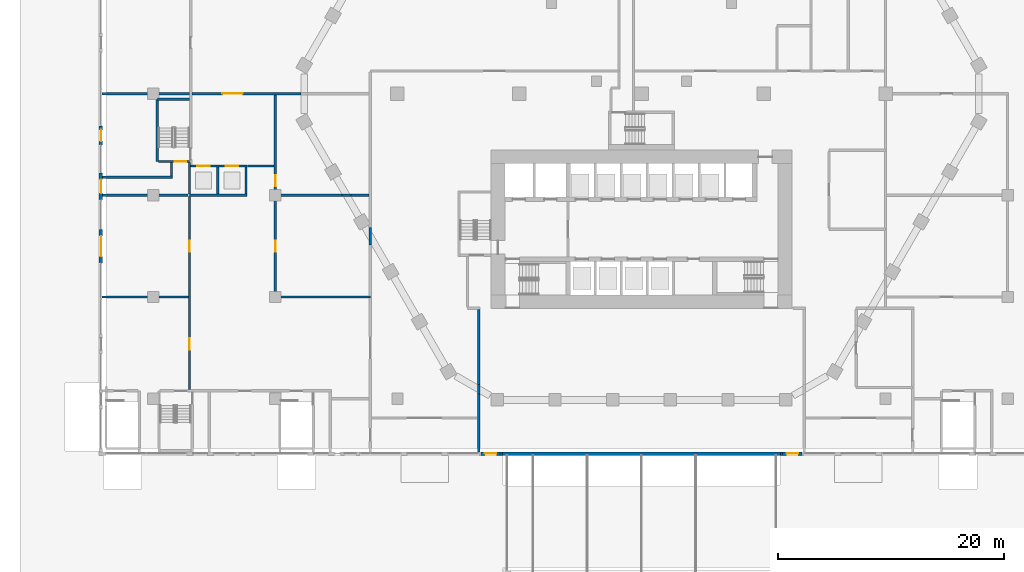
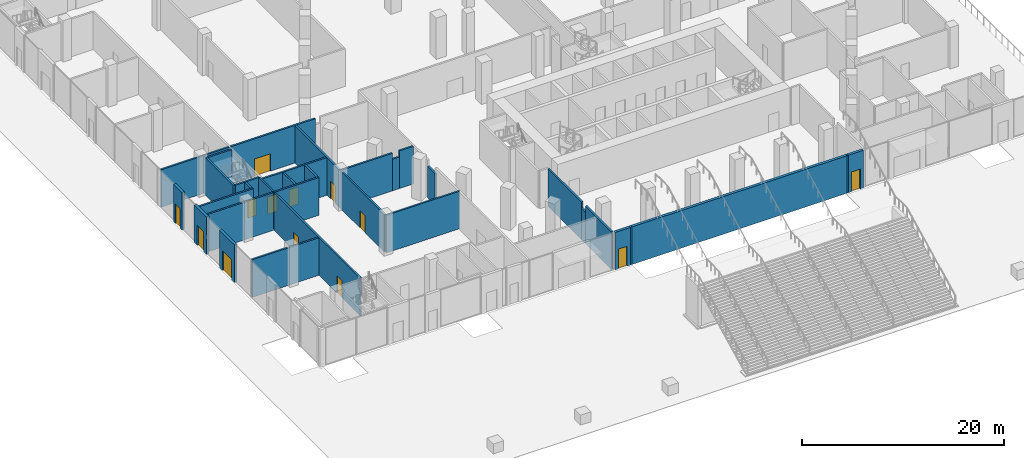
# One storey, part 21 of 57: 33 walls, 13 doors, 13 openings.
"""IFC4 building model written with IfcOpenShell, lengths in metres."""

from ifc_helpers import new_model, si_unit, direction, frame, frame_2d, origin, place, context, subcontext, project, spatial, rectangle, extrude, material, layer, layer_set, type_object, element, fill, save


model = new_model("IFC4")

# Units and contexts
model_context = context("Model", 3, precision=1e-05, world=origin(), true_north=direction((0.0, 1.0)))
body_context = subcontext(model_context, "Body", "Model", "MODEL_VIEW")
ifc_project = project(units=[si_unit("LENGTHUNIT", "METRE"), si_unit("AREAUNIT", "SQUARE_METRE"), si_unit("VOLUMEUNIT", "CUBIC_METRE"), si_unit("PLANEANGLEUNIT", "RADIAN"), si_unit("MASSUNIT", "GRAM", prefix="KILO")], contexts=[model_context])

# Site, building, storey
site_placement = place(None, origin())
site = spatial("IfcSite", under=ifc_project, at=site_placement, CompositionType="ELEMENT")
building_placement = place(site_placement, origin())
building = spatial("IfcBuilding", under=site, at=building_placement, Name="Beryl Residences", CompositionType="ELEMENT")
storey_placement = place(building_placement, origin())
storey = spatial("IfcBuildingStorey", under=building, at=storey_placement, Name="L00", CompositionType="ELEMENT", Elevation=0.0)

# Wall, opening, door
ifc_material_1 = material(Name="Composite metal panel with mineral wool insulation")
ifc_layer_1 = layer(ifc_material_1, 0.300048828125)
ifc_layer_set_1 = layer_set([ifc_layer_1], Name="ES1 pale metal composite panel wall 300 mm")
wall_type_1 = type_object("IfcWallType", Name="ES1 pale metal composite panel wall 300 mm", PredefinedType="SOLIDWALL", material=ifc_layer_set_1)
wall_1_placement = place(storey_placement, frame((-14.199951171875, -31.85009765625, 0.0), z_axis=(0.0, 0.0, 1.0), x_axis=(1.0, 0.0, 0.0)))
wall_1 = element("IfcWall", 1, at=wall_1_placement, inside=storey, type_object=wall_type_1, Name="ES1 entrance wall L00 S", PredefinedType="SOLIDWALL", context=body_context, shape_type="SweptSolid", body=[
    extrude(rectangle(XDim=1.699951171875, YDim=0.300048828125, at=frame_2d((0.85009765625, 0.0))), origin(), (0.0, 0.0, 1.0), 4.550048828125),
])
opening_1_placement = place(wall_1_placement, frame((1.35009765625, 0.0, 0.0), z_axis=(0.0, 0.0, 1.0), x_axis=(-1.0, 0.0, 0.0)))
opening_1 = element("IfcOpeningElement", 2, at=opening_1_placement, cuts=wall_1, Name="Opening XD2", PredefinedType="OPENING", context=body_context, shape_type="SweptSolid", body=[
    extrude(rectangle(XDim=1.0, YDim=2.39990234375, at=frame_2d((0.5, 1.199951171875))), frame((0.0, 0.159912109375, 0.0), z_axis=(0.0, -1.0, 0.0), x_axis=(1.0, 0.0, 0.0)), (0.0, 0.0, 1.0), 0.320068359375),
])
ifc_material_2 = material(Name="Galvanised steel", Category="steel")
door_type_1 = type_object("IfcDoorType", Name="XD2 exit door 1000 x 2400 mm", OperationType="SINGLE_SWING_RIGHT", PredefinedType="DOOR", material=ifc_material_2)
door_1_placement = place(opening_1_placement, origin())
door_1 = element("IfcDoor", 3, at=door_1_placement, inside=storey, type_object=door_type_1, Name="XD2 exit door L00 S", OperationType="SINGLE_SWING_RIGHT", OverallHeight=2.39990234375, OverallWidth=1.0, PredefinedType="DOOR", context=body_context, shape_type="SweptSolid", body=[
    extrude(rectangle(XDim=1.0, YDim=2.39990234375, at=frame_2d((0.5, 1.199951171875))), frame((0.0, 0.02490234375, 0.0), z_axis=(0.0, -1.0, 0.0), x_axis=(1.0, 0.0, 0.0)), (0.0, 0.0, 1.0), 0.050048828125),
])
fill(opening_1, door_1)

# Walls
wall_2_placement = place(storey_placement, frame((-12.5, -31.85009765625, 0.0), z_axis=(0.0, 0.0, 1.0), x_axis=(1.0, 0.0, 0.0)))
element("IfcWall", 4, at=wall_2_placement, inside=storey, type_object=wall_type_1, Name="ES1 external wall L00 S 16", PredefinedType="SOLIDWALL", context=body_context, shape_type="SweptSolid", body=[
    extrude(rectangle(XDim=0.199951171875, YDim=0.300048828125, at=frame_2d((0.10009765625, 0.0))), origin(), (0.0, 0.0, 1.0), 4.550048828125),
])
wall_3_placement = place(storey_placement, frame((-12.300048828125, -31.85009765625, 0.0), z_axis=(0.0, 0.0, 1.0), x_axis=(1.0, 0.0, 0.0)))
element("IfcWall", 5, at=wall_3_placement, inside=storey, type_object=wall_type_1, Name="ES1 external wall L00 S 17", PredefinedType="SOLIDWALL", context=body_context, shape_type="SweptSolid", body=[
    extrude(rectangle(XDim=24.60009765625, YDim=0.300048828125, at=frame_2d((12.300048828125, 0.0))), origin(), (0.0, 0.0, 1.0), 4.550048828125),
])
wall_4_placement = place(storey_placement, frame((12.300048828125, -31.85009765625, 0.0), z_axis=(0.0, 0.0, 1.0), x_axis=(1.0, 0.0, 0.0)))
element("IfcWall", 6, at=wall_4_placement, inside=storey, type_object=wall_type_1, Name="ES1 external wall L00 S 18", PredefinedType="SOLIDWALL", context=body_context, shape_type="SweptSolid", body=[
    extrude(rectangle(XDim=0.199951171875, YDim=0.300048828125, at=frame_2d((0.10009765625, 0.0))), origin(), (0.0, 0.0, 1.0), 4.550048828125),
])

# Wall, opening, door
wall_5_placement = place(storey_placement, frame((12.5, -31.85009765625, 0.0), z_axis=(0.0, 0.0, 1.0), x_axis=(1.0, 0.0, 0.0)))
wall_5 = element("IfcWall", 7, at=wall_5_placement, inside=storey, type_object=wall_type_1, Name="ES1 entrance wall L00 S", PredefinedType="SOLIDWALL", context=body_context, shape_type="SweptSolid", body=[
    extrude(rectangle(XDim=1.699951171875, YDim=0.300048828125, at=frame_2d((0.85009765625, 0.0))), origin(), (0.0, 0.0, 1.0), 4.550048828125),
])
opening_2_placement = place(wall_5_placement, frame((1.35009765625, 0.0, 0.0), z_axis=(0.0, 0.0, 1.0), x_axis=(-1.0, 0.0, 0.0)))
opening_2 = element("IfcOpeningElement", 8, at=opening_2_placement, cuts=wall_5, Name="Opening XD2", PredefinedType="OPENING", context=body_context, shape_type="SweptSolid", body=[
    extrude(rectangle(XDim=1.0, YDim=2.39990234375, at=frame_2d((0.5, 1.199951171875))), frame((0.0, 0.159912109375, 0.0), z_axis=(0.0, -1.0, 0.0), x_axis=(1.0, 0.0, 0.0)), (0.0, 0.0, 1.0), 0.320068359375),
])
door_2_placement = place(opening_2_placement, origin())
door_2 = element("IfcDoor", 9, at=door_2_placement, inside=storey, type_object=door_type_1, Name="XD2 exit door L00 S", OperationType="SINGLE_SWING_RIGHT", OverallHeight=2.39990234375, OverallWidth=1.0, PredefinedType="DOOR", context=body_context, shape_type="SweptSolid", body=[
    extrude(rectangle(XDim=1.0, YDim=2.39990234375, at=frame_2d((0.5, 1.199951171875))), frame((0.0, 0.02490234375, 0.0), z_axis=(0.0, -1.0, 0.0), x_axis=(1.0, 0.0, 0.0)), (0.0, 0.0, 1.0), 0.050048828125),
])
fill(opening_2, door_2)

wall_6_placement = place(storey_placement, frame((-47.85009765625, -7.0, 0.0), z_axis=(0.0, 0.0, 1.0), x_axis=(0.0, -1.0, 0.0)))
wall_6 = element("IfcWall", 10, at=wall_6_placement, inside=storey, type_object=wall_type_1, Name="ES1 entrance wall L00 W", PredefinedType="SOLIDWALL", context=body_context, shape_type="SweptSolid", body=[
    extrude(rectangle(XDim=2.39990234375, YDim=0.300048828125, at=frame_2d((1.199951171875, 0.0))), origin(), (0.0, 0.0, 1.0), 4.550048828125),
])
opening_3_placement = place(wall_6_placement, frame((1.800048828125, 0.0, 0.0), z_axis=(0.0, 0.0, 1.0), x_axis=(-1.0, 0.0, 0.0)))
opening_3 = element("IfcOpeningElement", 11, at=opening_3_placement, cuts=wall_6, Name="Opening XD1", PredefinedType="OPENING", context=body_context, shape_type="SweptSolid", body=[
    extrude(rectangle(XDim=1.199951171875, YDim=2.39990234375, at=frame_2d((0.60009765625, 1.199951171875))), frame((0.0, 0.159912109375, 0.0), z_axis=(0.0, -1.0, 0.0), x_axis=(1.0, 0.0, 0.0)), (0.0, 0.0, 1.0), 0.320068359375),
])
ifc_material_3 = material(Name="Galvanised steel", Category="steel")
door_type_2 = type_object("IfcDoorType", Name="XD1 exit door 1200 x 2400 mm", OperationType="SINGLE_SWING_RIGHT", PredefinedType="DOOR", material=ifc_material_3)
door_3_placement = place(opening_3_placement, origin())
door_3 = element("IfcDoor", 12, at=door_3_placement, inside=storey, type_object=door_type_2, Name="XD1 exit door L00 W", OperationType="SINGLE_SWING_RIGHT", OverallHeight=2.39990234375, OverallWidth=1.199951171875, PredefinedType="DOOR", context=body_context, shape_type="SweptSolid", body=[
    extrude(rectangle(XDim=1.199951171875, YDim=2.39990234375, at=frame_2d((0.60009765625, 1.199951171875))), frame((0.0, 0.02490234375, 0.0), z_axis=(0.0, -1.0, 0.0), x_axis=(1.0, 0.0, 0.0)), (0.0, 0.0, 1.0), 0.050048828125),
])
fill(opening_3, door_3)

ifc_material_4 = material(Name="Aluminium framed insulated wall", Category="aluminium")
ifc_layer_2 = layer(ifc_material_4, 0.14990234375)
ifc_layer_set_2 = layer_set([ifc_layer_2], Name="GW1 glazed door wall 150 mm")
wall_type_2 = type_object("IfcWallType", Name="GW1 glazed door wall 150 mm", PredefinedType="SOLIDWALL", material=ifc_layer_set_2)
wall_7_placement = place(storey_placement, frame((-47.85009765625, -2.85009765625, 0.0), z_axis=(0.0, 0.0, 1.0), x_axis=(0.0, -1.0, 0.0)))
wall_7 = element("IfcWall", 13, at=wall_7_placement, inside=storey, type_object=wall_type_2, Name="GW1 shopfront door wall L00 W", PredefinedType="SOLIDWALL", context=body_context, shape_type="SweptSolid", body=[
    extrude(rectangle(XDim=1.699951171875, YDim=0.300048828125, at=frame_2d((0.85009765625, 0.0))), origin(), (0.0, 0.0, 1.0), 4.550048828125),
])
opening_4_placement = place(wall_7_placement, frame((1.35009765625, 0.0, 0.0), z_axis=(0.0, 0.0, 1.0), x_axis=(-1.0, 0.0, 0.0)))
opening_4 = element("IfcOpeningElement", 14, at=opening_4_placement, cuts=wall_7, Name="Opening ED4", PredefinedType="OPENING", context=body_context, shape_type="SweptSolid", body=[
    extrude(rectangle(XDim=1.0, YDim=2.39990234375, at=frame_2d((0.5, 1.199951171875))), frame((0.0, 0.159912109375, 0.0), z_axis=(0.0, -1.0, 0.0), x_axis=(1.0, 0.0, 0.0)), (0.0, 0.0, 1.0), 0.320068359375),
])
ifc_material_5 = material(Name="Aluminium and clear glass", Category="aluminium")
door_type_3 = type_object("IfcDoorType", Name="ED4 street door 1000 x 2400 mm", OperationType="SINGLE_SWING_RIGHT", PredefinedType="DOOR", material=ifc_material_5)
door_4_placement = place(opening_4_placement, origin())
door_4 = element("IfcDoor", 15, at=door_4_placement, inside=storey, type_object=door_type_3, Name="ED4 street door L00 W", OperationType="SINGLE_SWING_RIGHT", OverallHeight=2.39990234375, OverallWidth=1.0, PredefinedType="DOOR", context=body_context, shape_type="SweptSolid", body=[
    extrude(rectangle(XDim=1.0, YDim=2.39990234375, at=frame_2d((0.5, 1.199951171875))), frame((0.0, 0.02490234375, 0.0), z_axis=(0.0, -1.0, 0.0), x_axis=(1.0, 0.0, 0.0)), (0.0, 0.0, 1.0), 0.050048828125),
])
fill(opening_4, door_4)

wall_8_placement = place(storey_placement, frame((-47.85009765625, -12.0, 0.0), z_axis=(0.0, 0.0, 1.0), x_axis=(0.0, -1.0, 0.0)))
wall_8 = element("IfcWall", 16, at=wall_8_placement, inside=storey, type_object=wall_type_2, Name="GW1 shopfront door wall L00 W", PredefinedType="SOLIDWALL", context=body_context, shape_type="SweptSolid", body=[
    extrude(rectangle(XDim=3.0, YDim=0.300048828125, at=frame_2d((1.5, 0.0))), origin(), (0.0, 0.0, 1.0), 4.550048828125),
])
opening_5_placement = place(wall_8_placement, frame((2.400146484375, 0.0, 0.0), z_axis=(0.0, 0.0, 1.0), x_axis=(-1.0, 0.0, 0.0)))
opening_5 = element("IfcOpeningElement", 17, at=opening_5_placement, cuts=wall_8, Name="Opening ED3", PredefinedType="OPENING", context=body_context, shape_type="SweptSolid", body=[
    extrude(rectangle(XDim=1.800048828125, YDim=2.39990234375, at=frame_2d((0.89990234375, 1.199951171875))), frame((0.0, 0.159912109375, 0.0), z_axis=(0.0, -1.0, 0.0), x_axis=(1.0, 0.0, 0.0)), (0.0, 0.0, 1.0), 0.320068359375),
])
ifc_material_6 = material(Name="Aluminium and clear glass", Category="aluminium")
door_type_4 = type_object("IfcDoorType", Name="ED3 shopfront door 1800 x 2400 mm", OperationType="DOUBLE_DOOR_DOUBLE_SWING", PredefinedType="DOOR", material=ifc_material_6)
door_5_placement = place(opening_5_placement, origin())
door_5 = element("IfcDoor", 18, at=door_5_placement, inside=storey, type_object=door_type_4, Name="ED3 shop door L00 W", OperationType="DOUBLE_DOOR_DOUBLE_SWING", OverallHeight=2.39990234375, OverallWidth=1.800048828125, PredefinedType="DOOR", context=body_context, shape_type="SweptSolid", body=[
    extrude(rectangle(XDim=1.800048828125, YDim=2.39990234375, at=frame_2d((0.89990234375, 1.199951171875))), frame((0.0, 0.02490234375, 0.0), z_axis=(0.0, -1.0, 0.0), x_axis=(1.0, 0.0, 0.0)), (0.0, 0.0, 1.0), 0.050048828125),
])
fill(opening_5, door_5)

# Walls
ifc_material_7 = material(Name="Double stud gypsum board wall")
ifc_layer_3 = layer(ifc_material_7, 0.199951171875)
ifc_layer_set_3 = layer_set([ifc_layer_3], Name="PT10 tenancy wall 200 mm")
wall_type_3 = type_object("IfcWallType", Name="PT10 tenancy wall 200 mm", PredefinedType="PARTITIONING", material=ifc_layer_set_3)
wall_9_placement = place(storey_placement, frame((-47.75, -18.0, 0.0), z_axis=(0.0, 0.0, 1.0), x_axis=(1.0, 0.0, 0.0)))
element("IfcWall", 19, at=wall_9_placement, inside=storey, type_object=wall_type_3, Name="Wall PT10 L00 001", PredefinedType="PARTITIONING", context=body_context, shape_type="SweptSolid", body=[
    extrude(rectangle(XDim=7.64990234375, YDim=0.199951171875, at=frame_2d((3.824951171875, 0.0))), origin(), (0.0, 0.0, 1.0), 4.550048828125),
])
wall_10_placement = place(storey_placement, frame((-32.39990234375, -18.0, 0.0), z_axis=(0.0, 0.0, 1.0), x_axis=(1.0, 0.0, 0.0)))
element("IfcWall", 20, at=wall_10_placement, inside=storey, type_object=wall_type_3, Name="Wall PT10 L00 002", PredefinedType="PARTITIONING", context=body_context, shape_type="SweptSolid", body=[
    extrude(rectangle(XDim=8.39990234375, YDim=0.199951171875, at=frame_2d((4.199951171875, 0.0))), origin(), (0.0, 0.0, 1.0), 4.550048828125),
])
wall_11_placement = place(storey_placement, frame((-32.300048828125, -9.0, 0.0), z_axis=(0.0, 0.0, 1.0), x_axis=(1.0, 0.0, 0.0)))
element("IfcWall", 21, at=wall_11_placement, inside=storey, type_object=wall_type_3, Name="Wall PT10 L00 004", PredefinedType="PARTITIONING", context=body_context, shape_type="SweptSolid", body=[
    extrude(rectangle(XDim=5.799072265625, YDim=0.199951171875, at=frame_2d((2.8994140625, 0.0))), origin(), (0.0, 0.0, 1.0), 4.550048828125),
])
wall_12_placement = place(storey_placement, frame((-26.5009765625, -9.0, 0.0), z_axis=(0.0, 0.0, 1.0), x_axis=(1.0, 0.0, 0.0)))
element("IfcWall", 22, at=wall_12_placement, inside=storey, type_object=wall_type_3, Name="Wall PT10 L00 005", PredefinedType="PARTITIONING", context=body_context, shape_type="SweptSolid", body=[
    extrude(rectangle(XDim=0.80908203125, YDim=0.199951171875, at=frame_2d((0.404541015625, 0.0))), origin(), (0.0, 0.0, 1.0), 3.820068359375),
])
wall_13_placement = place(storey_placement, frame((-25.69189453125, -9.0, 0.0), z_axis=(0.0, 0.0, 1.0), x_axis=(1.0, 0.0, 0.0)))
element("IfcWall", 23, at=wall_13_placement, inside=storey, type_object=wall_type_3, Name="Wall PT10 L00 006", PredefinedType="PARTITIONING", context=body_context, shape_type="SweptSolid", body=[
    extrude(rectangle(XDim=1.591796875, YDim=0.199951171875, at=frame_2d((0.7958984375, 0.0))), origin(), (0.0, 0.0, 1.0), 4.550048828125),
])

# Wall, openings, doors
wall_14_placement = place(storey_placement, frame((-40.0, -26.199951171875, 0.0), z_axis=(0.0, 0.0, 1.0), x_axis=(0.0, 1.0, 0.0)))
wall_14 = element("IfcWall", 24, at=wall_14_placement, inside=storey, type_object=wall_type_3, Name="Wall PT10 L00 020", PredefinedType="PARTITIONING", context=body_context, shape_type="SweptSolid", body=[
    extrude(rectangle(XDim=17.079833984375, YDim=0.199951171875, at=frame_2d((8.5400390625, 0.0))), origin(), (0.0, 0.0, 1.0), 4.550048828125),
])
opening_6_placement = place(wall_14_placement, frame((3.552001953125, 0.0, 0.0)))
opening_6 = element("IfcOpeningElement", 25, at=opening_6_placement, cuts=wall_14, Name="Opening L00-12", PredefinedType="OPENING", context=body_context, shape_type="SweptSolid", body=[
    extrude(rectangle(XDim=1.0, YDim=2.10009765625, at=frame_2d((0.5, 1.050048828125))), frame((0.0, 0.10986328125, 0.0), z_axis=(0.0, -1.0, 0.0), x_axis=(1.0, 0.0, 0.0)), (0.0, 0.0, 1.0), 0.219970703125),
])
opening_7_placement = place(wall_14_placement, frame((12.197998046875, 0.0, 0.0)))
opening_7 = element("IfcOpeningElement", 26, at=opening_7_placement, cuts=wall_14, Name="Opening L00-13", PredefinedType="OPENING", context=body_context, shape_type="SweptSolid", body=[
    extrude(rectangle(XDim=1.0, YDim=2.10009765625, at=frame_2d((0.5, 1.050048828125))), frame((0.0, 0.10986328125, 0.0), z_axis=(0.0, -1.0, 0.0), x_axis=(1.0, 0.0, 0.0)), (0.0, 0.0, 1.0), 0.219970703125),
])
ifc_material_8 = material(Name="Timber door leaf", Category="wood")
door_type_5 = type_object("IfcDoorType", Name="D9 corridor door 1000 x 2100 mm", OperationType="SINGLE_SWING_LEFT", PredefinedType="DOOR", material=ifc_material_8)
door_6_placement = place(opening_6_placement, origin())
door_6 = element("IfcDoor", 27, at=door_6_placement, inside=storey, type_object=door_type_5, Name="Door L00-12 L00 001", OperationType="SINGLE_SWING_RIGHT", OverallHeight=2.10009765625, OverallWidth=1.0, PredefinedType="DOOR", context=body_context, shape_type="SweptSolid", body=[
    extrude(rectangle(XDim=1.0, YDim=2.10009765625, at=frame_2d((0.5, 1.050048828125))), frame((0.0, 0.02490234375, 0.0), z_axis=(0.0, -1.0, 0.0), x_axis=(1.0, 0.0, 0.0)), (0.0, 0.0, 1.0), 0.050048828125),
])
fill(opening_6, door_6)
door_7_placement = place(opening_7_placement, origin())
door_7 = element("IfcDoor", 28, at=door_7_placement, inside=storey, type_object=door_type_5, Name="Door L00-13 L00 001", OperationType="SINGLE_SWING_LEFT", OverallHeight=2.10009765625, OverallWidth=1.0, PredefinedType="DOOR", context=body_context, shape_type="SweptSolid", body=[
    extrude(rectangle(XDim=1.0, YDim=2.10009765625, at=frame_2d((0.5, 1.050048828125))), frame((0.0, 0.02490234375, 0.0), z_axis=(0.0, -1.0, 0.0), x_axis=(1.0, 0.0, 0.0)), (0.0, 0.0, 1.0), 0.050048828125),
])
fill(opening_7, door_7)

# Walls
ifc_material_9 = material(Name="Double stud gypsum board wall")
ifc_layer_4 = layer(ifc_material_9, 0.199951171875)
ifc_layer_set_4 = layer_set([ifc_layer_4], Name="PT4 corridor wall 200 mm double stud")
wall_type_4 = type_object("IfcWallType", Name="PT4 corridor wall 200 mm double stud", PredefinedType="PARTITIONING", material=ifc_layer_set_4)
wall_15_placement = place(storey_placement, frame((-34.8798828125, -6.39990234375, 0.0), z_axis=(0.0, 0.0, 1.0), x_axis=(1.0, 0.0, 0.0)))
element("IfcWall", 29, at=wall_15_placement, inside=storey, type_object=wall_type_4, Name="Wall PT4 L00 003", PredefinedType="PARTITIONING", context=body_context, shape_type="SweptSolid", body=[
    extrude(rectangle(XDim=2.3798828125, YDim=0.199951171875, at=frame_2d((1.18994140625, 0.0))), origin(), (0.0, 0.0, 1.0), 4.550048828125),
])
wall_16_placement = place(storey_placement, frame((-47.75, 0.0, 0.0), z_axis=(0.0, 0.0, 1.0), x_axis=(1.0, 0.0, 0.0)))
element("IfcWall", 30, at=wall_16_placement, inside=storey, type_object=wall_type_4, Name="Wall PT4 L00 004", PredefinedType="PARTITIONING", context=body_context, shape_type="SweptSolid", body=[
    extrude(rectangle(XDim=7.75, YDim=0.199951171875, at=frame_2d((3.875, 0.0))), origin(), (0.0, 0.0, 1.0), 4.550048828125),
])

# Wall, opening, door
wall_17_placement = place(storey_placement, frame((-39.800048828125, 0.0, 0.0), z_axis=(0.0, 0.0, 1.0), x_axis=(1.0, 0.0, 0.0)))
wall_17 = element("IfcWall", 31, at=wall_17_placement, inside=storey, type_object=wall_type_4, Name="Wall PT4 L00 005", PredefinedType="PARTITIONING", context=body_context, shape_type="SweptSolid", body=[
    extrude(rectangle(XDim=9.651123046875, YDim=0.199951171875, at=frame_2d((4.82568359375, 0.0))), origin(), (0.0, 0.0, 1.0), 4.550048828125),
])
opening_8_placement = place(wall_17_placement, frame((2.701904296875, 0.0, 0.0)))
opening_8 = element("IfcOpeningElement", 32, at=opening_8_placement, cuts=wall_17, Name="Opening L00-18", PredefinedType="OPENING", context=body_context, shape_type="SweptSolid", body=[
    extrude(rectangle(XDim=1.800048828125, YDim=2.10009765625, at=frame_2d((0.89990234375, 1.050048828125))), frame((0.0, 0.10986328125, 0.0), z_axis=(0.0, -1.0, 0.0), x_axis=(1.0, 0.0, 0.0)), (0.0, 0.0, 1.0), 0.219970703125),
])
ifc_material_10 = material(Name="Timber door leaf", Category="wood")
door_type_6 = type_object("IfcDoorType", Name="D20 corridor door 1800 x 2100 mm", OperationType="DOUBLE_DOOR_SINGLE_SWING", PredefinedType="DOOR", material=ifc_material_10)
door_8_placement = place(opening_8_placement, origin())
door_8 = element("IfcDoor", 33, at=door_8_placement, inside=storey, type_object=door_type_6, Name="Door L00-18 L00 001", OperationType="DOUBLE_DOOR_SINGLE_SWING", OverallHeight=2.10009765625, OverallWidth=1.800048828125, PredefinedType="DOOR", context=body_context, shape_type="SweptSolid", body=[
    extrude(rectangle(XDim=1.800048828125, YDim=2.10009765625, at=frame_2d((0.89990234375, 1.050048828125))), frame((0.0, 0.02490234375, 0.0), z_axis=(0.0, -1.0, 0.0), x_axis=(1.0, 0.0, 0.0)), (0.0, 0.0, 1.0), 0.050048828125),
])
fill(opening_8, door_8)

# Wall, openings, doors
wall_18_placement = place(storey_placement, frame((-32.39990234375, -17.89990234375, 0.0), z_axis=(0.0, 0.0, 1.0), x_axis=(0.0, 1.0, 0.0)))
wall_18 = element("IfcWall", 34, at=wall_18_placement, inside=storey, type_object=wall_type_4, Name="Wall PT4 L00 011", PredefinedType="PARTITIONING", context=body_context, shape_type="SweptSolid", body=[
    extrude(rectangle(XDim=17.7998046875, YDim=0.199951171875, at=frame_2d((8.89990234375, 0.0))), origin(), (0.0, 0.0, 1.0), 4.550048828125),
])
opening_9_placement = place(wall_18_placement, frame((4.902099609375, 0.0, 0.0), z_axis=(0.0, 0.0, 1.0), x_axis=(-1.0, 0.0, 0.0)))
opening_9 = element("IfcOpeningElement", 35, at=opening_9_placement, cuts=wall_18, Name="Opening L00-27", PredefinedType="OPENING", context=body_context, shape_type="SweptSolid", body=[
    extrude(rectangle(XDim=1.0, YDim=2.10009765625, at=frame_2d((0.5, 1.050048828125))), frame((0.0, 0.10986328125, 0.0), z_axis=(0.0, -1.0, 0.0), x_axis=(1.0, 0.0, 0.0)), (0.0, 0.0, 1.0), 0.219970703125),
])
opening_10_placement = place(wall_18_placement, frame((10.697998046875, 0.0, 0.0), z_axis=(0.0, 0.0, 1.0), x_axis=(-1.0, 0.0, 0.0)))
opening_10 = element("IfcOpeningElement", 36, at=opening_10_placement, cuts=wall_18, Name="Opening L00-28", PredefinedType="OPENING", context=body_context, shape_type="SweptSolid", body=[
    extrude(rectangle(XDim=1.0, YDim=2.10009765625, at=frame_2d((0.5, 1.050048828125))), frame((0.0, 0.10986328125, 0.0), z_axis=(0.0, -1.0, 0.0), x_axis=(1.0, 0.0, 0.0)), (0.0, 0.0, 1.0), 0.219970703125),
])
door_9_placement = place(opening_9_placement, origin())
door_9 = element("IfcDoor", 37, at=door_9_placement, inside=storey, type_object=door_type_5, Name="Door L00-27 L00 001", OperationType="SINGLE_SWING_RIGHT", OverallHeight=2.10009765625, OverallWidth=1.0, PredefinedType="DOOR", context=body_context, shape_type="SweptSolid", body=[
    extrude(rectangle(XDim=1.0, YDim=2.10009765625, at=frame_2d((0.5, 1.050048828125))), frame((0.0, 0.02490234375, 0.0), z_axis=(0.0, -1.0, 0.0), x_axis=(1.0, 0.0, 0.0)), (0.0, 0.0, 1.0), 0.050048828125),
])
fill(opening_9, door_9)
door_10_placement = place(opening_10_placement, origin())
door_10 = element("IfcDoor", 38, at=door_10_placement, inside=storey, type_object=door_type_5, Name="Door L00-28 L00 001", OperationType="SINGLE_SWING_LEFT", OverallHeight=2.10009765625, OverallWidth=1.0, PredefinedType="DOOR", context=body_context, shape_type="SweptSolid", body=[
    extrude(rectangle(XDim=1.0, YDim=2.10009765625, at=frame_2d((0.5, 1.050048828125))), frame((0.0, 0.02490234375, 0.0), z_axis=(0.0, -1.0, 0.0), x_axis=(1.0, 0.0, 0.0)), (0.0, 0.0, 1.0), 0.050048828125),
])
fill(opening_10, door_10)

# Walls
ifc_material_11 = material(Name="Concrete C40/50", Category="concrete")
ifc_layer_5 = layer(ifc_material_11, 0.199951171875)
ifc_layer_set_5 = layer_set([ifc_layer_5], Name="PT5 stair enclosure wall 200 mm reinforced concrete C40/50")
wall_type_5 = type_object("IfcWallType", Name="PT5 stair enclosure wall 200 mm reinforced concrete C40/50", PredefinedType="SOLIDWALL", material=ifc_layer_set_5)
wall_19_placement = place(storey_placement, frame((-47.699951171875, -9.0, 0.0), z_axis=(0.0, 0.0, 1.0), x_axis=(1.0, 0.0, 0.0)))
element("IfcWall", 39, at=wall_19_placement, inside=storey, type_object=wall_type_5, Name="Wall PT5 L00 009", PredefinedType="SOLIDWALL", context=body_context, shape_type="SweptSolid", body=[
    extrude(rectangle(XDim=7.579833984375, YDim=0.199951171875, at=frame_2d((3.7900390625, 0.0))), origin(), (0.0, 0.0, 1.0), 4.550048828125),
])
wall_20_placement = place(storey_placement, frame((-47.699951171875, -7.39990234375, 0.0), z_axis=(0.0, 0.0, 1.0), x_axis=(1.0, 0.0, 0.0)))
element("IfcWall", 40, at=wall_20_placement, inside=storey, type_object=wall_type_5, Name="Wall PT5 L00 010", PredefinedType="SOLIDWALL", context=body_context, shape_type="SweptSolid", body=[
    extrude(rectangle(XDim=6.199951171875, YDim=0.199951171875, at=frame_2d((3.10009765625, 0.0))), origin(), (0.0, 0.0, 1.0), 4.550048828125),
])

# Wall, opening, door
wall_21_placement = place(storey_placement, frame((-42.75, -6.0, 0.0), z_axis=(0.0, 0.0, 1.0), x_axis=(1.0, 0.0, 0.0)))
wall_21 = element("IfcWall", 41, at=wall_21_placement, inside=storey, type_object=wall_type_5, Name="Wall PT5 L00 011", PredefinedType="SOLIDWALL", context=body_context, shape_type="SweptSolid", body=[
    extrude(rectangle(XDim=2.75, YDim=0.199951171875, at=frame_2d((1.375, 0.0))), origin(), (0.0, 0.0, 1.0), 4.550048828125),
])
opening_11_placement = place(wall_21_placement, frame((2.449951171875, 0.0, 0.0), z_axis=(0.0, 0.0, 1.0), x_axis=(-1.0, 0.0, 0.0)))
opening_11 = element("IfcOpeningElement", 42, at=opening_11_placement, cuts=wall_21, Name="Opening L00-59", PredefinedType="OPENING", context=body_context, shape_type="SweptSolid", body=[
    extrude(rectangle(XDim=1.0, YDim=2.10009765625, at=frame_2d((0.5, 1.050048828125))), frame((0.0, 0.10986328125, 0.0), z_axis=(0.0, -1.0, 0.0), x_axis=(1.0, 0.0, 0.0)), (0.0, 0.0, 1.0), 0.219970703125),
])
ifc_material_12 = material(Name="Steel door leaf in steel frame", Category="steel")
door_type_7 = type_object("IfcDoorType", Name="D15 stair door 1000 x 2100 mm", OperationType="SINGLE_SWING_LEFT", PredefinedType="DOOR", material=ifc_material_12)
door_11_placement = place(opening_11_placement, origin())
door_11 = element("IfcDoor", 43, at=door_11_placement, inside=storey, type_object=door_type_7, Name="Door L00-59 L00 001", OperationType="SINGLE_SWING_LEFT", OverallHeight=2.10009765625, OverallWidth=1.0, PredefinedType="DOOR", context=body_context, shape_type="SweptSolid", body=[
    extrude(rectangle(XDim=1.0, YDim=2.10009765625, at=frame_2d((0.5, 1.050048828125))), frame((0.0, 0.02490234375, 0.0), z_axis=(0.0, -1.0, 0.0), x_axis=(1.0, 0.0, 0.0)), (0.0, 0.0, 1.0), 0.050048828125),
])
fill(opening_11, door_11)

# Walls
wall_22_placement = place(storey_placement, frame((-42.85009765625, -0.5, 0.0), z_axis=(0.0, 0.0, 1.0), x_axis=(1.0, 0.0, 0.0)))
element("IfcWall", 44, at=wall_22_placement, inside=storey, type_object=wall_type_5, Name="Wall PT5 L00 012", PredefinedType="SOLIDWALL", context=body_context, shape_type="SweptSolid", body=[
    extrude(rectangle(XDim=2.85009765625, YDim=0.199951171875, at=frame_2d((1.425048828125, 0.0))), origin(), (0.0, 0.0, 1.0), 4.550048828125),
])
wall_23_placement = place(storey_placement, frame((-42.85009765625, -6.0, 0.0), z_axis=(0.0, 0.0, 1.0), x_axis=(0.0, 1.0, 0.0)))
element("IfcWall", 45, at=wall_23_placement, inside=storey, type_object=wall_type_5, Name="Wall PT5 L00 025", PredefinedType="SOLIDWALL", context=body_context, shape_type="SweptSolid", body=[
    extrude(rectangle(XDim=5.89990234375, YDim=0.199951171875, at=frame_2d((2.949951171875, 0.0))), origin(), (0.0, 0.0, 1.0), 4.550048828125),
])
wall_24_placement = place(storey_placement, frame((-41.60009765625, -7.300048828125, 0.0), z_axis=(0.0, 0.0, 1.0), x_axis=(0.0, 1.0, 0.0)))
element("IfcWall", 46, at=wall_24_placement, inside=storey, type_object=wall_type_5, Name="Wall PT5 L00 027", PredefinedType="SOLIDWALL", context=body_context, shape_type="SweptSolid", body=[
    extrude(rectangle(XDim=1.199951171875, YDim=0.199951171875, at=frame_2d((0.60009765625, 0.0))), origin(), (0.0, 0.0, 1.0), 4.550048828125),
])
wall_25_placement = place(storey_placement, frame((-14.39990234375, -31.699951171875, 0.0), z_axis=(0.0, 0.0, 1.0), x_axis=(0.0, 1.0, 0.0)))
element("IfcWall", 47, at=wall_25_placement, inside=storey, type_object=wall_type_5, Name="Wall PT5 L00 038", PredefinedType="SOLIDWALL", context=body_context, shape_type="SweptSolid", body=[
    extrude(rectangle(XDim=5.14306640625, YDim=0.199951171875, at=frame_2d((2.571533203125, 0.0))), origin(), (0.0, 0.0, 1.0), 4.550048828125),
])
wall_26_placement = place(storey_placement, frame((-14.39990234375, -26.556884765625, 0.0), z_axis=(0.0, 0.0, 1.0), x_axis=(0.0, 1.0, 0.0)))
element("IfcWall", 48, at=wall_26_placement, inside=storey, type_object=wall_type_5, Name="Wall PT5 L00 039", PredefinedType="SOLIDWALL", context=body_context, shape_type="SweptSolid", body=[
    extrude(rectangle(XDim=0.807861328125, YDim=0.199951171875, at=frame_2d((0.40380859375, 0.0))), origin(), (0.0, 0.0, 1.0), 3.820068359375),
])
wall_27_placement = place(storey_placement, frame((-14.39990234375, -25.7490234375, 0.0), z_axis=(0.0, 0.0, 1.0), x_axis=(0.0, 1.0, 0.0)))
element("IfcWall", 49, at=wall_27_placement, inside=storey, type_object=wall_type_5, Name="Wall PT5 L00 040", PredefinedType="SOLIDWALL", context=body_context, shape_type="SweptSolid", body=[
    extrude(rectangle(XDim=6.64892578125, YDim=0.199951171875, at=frame_2d((3.324462890625, 0.0))), origin(), (0.0, 0.0, 1.0), 4.550048828125),
])
ifc_material_13 = material(Name="Concrete C40/50", Category="concrete")
ifc_layer_6 = layer(ifc_material_13, 0.199951171875)
ifc_layer_set_6 = layer_set([ifc_layer_6], Name="PT6 lift shaft wall 200 mm reinforced concrete C40/50")
wall_type_6 = type_object("IfcWallType", Name="PT6 lift shaft wall 200 mm reinforced concrete C40/50", PredefinedType="SOLIDWALL", material=ifc_layer_set_6)
wall_28_placement = place(storey_placement, frame((-40.0, -9.0, 0.0), z_axis=(0.0, 0.0, 1.0), x_axis=(1.0, 0.0, 0.0)))
element("IfcWall", 50, at=wall_28_placement, inside=storey, type_object=wall_type_6, Name="Wall PT6 L00 001", PredefinedType="SOLIDWALL", context=body_context, shape_type="SweptSolid", body=[
    extrude(rectangle(XDim=5.10009765625, YDim=0.199951171875, at=frame_2d((2.550048828125, 0.0))), origin(), (0.0, 0.0, 1.0), 4.550048828125),
])

# Wall, openings, doors
wall_29_placement = place(storey_placement, frame((-40.0, -6.39990234375, 0.0), z_axis=(0.0, 0.0, 1.0), x_axis=(1.0, 0.0, 0.0)))
wall_29 = element("IfcWall", 51, at=wall_29_placement, inside=storey, type_object=wall_type_6, Name="Wall PT6 L00 002", PredefinedType="SOLIDWALL", context=body_context, shape_type="SweptSolid", body=[
    extrude(rectangle(XDim=5.10009765625, YDim=0.199951171875, at=frame_2d((2.550048828125, 0.0))), origin(), (0.0, 0.0, 1.0), 4.550048828125),
])
opening_12_placement = place(wall_29_placement, frame((0.699951171875, 0.0, 0.0)))
opening_12 = element("IfcOpeningElement", 52, at=opening_12_placement, cuts=wall_29, Name="Opening LD-PG1", PredefinedType="OPENING", context=body_context, shape_type="SweptSolid", body=[
    extrude(rectangle(XDim=1.10009765625, YDim=2.10009765625, at=frame_2d((0.550048828125, 1.050048828125))), frame((0.0, 0.10986328125, 0.0), z_axis=(0.0, -1.0, 0.0), x_axis=(1.0, 0.0, 0.0)), (0.0, 0.0, 1.0), 0.219970703125),
])
opening_13_placement = place(wall_29_placement, frame((3.199951171875, 0.0, 0.0)))
opening_13 = element("IfcOpeningElement", 53, at=opening_13_placement, cuts=wall_29, Name="Opening LD-PG2", PredefinedType="OPENING", context=body_context, shape_type="SweptSolid", body=[
    extrude(rectangle(XDim=1.10009765625, YDim=2.10009765625, at=frame_2d((0.550048828125, 1.050048828125))), frame((0.0, 0.10986328125, 0.0), z_axis=(0.0, -1.0, 0.0), x_axis=(1.0, 0.0, 0.0)), (0.0, 0.0, 1.0), 0.219970703125),
])
ifc_material_14 = material(Name="Stainless steel sliding door", Category="steel")
door_type_8 = type_object("IfcDoorType", Name="LD1 lift landing door 1100 x 2100 mm", OperationType="DOUBLE_DOOR_SLIDING", PredefinedType="DOOR", material=ifc_material_14)
door_12_placement = place(opening_12_placement, origin())
door_12 = element("IfcDoor", 54, at=door_12_placement, inside=storey, type_object=door_type_8, Name="Door LD-PG1 L00 001", OperationType="DOUBLE_DOOR_SLIDING", OverallHeight=2.10009765625, OverallWidth=1.10009765625, PredefinedType="DOOR", context=body_context, shape_type="SweptSolid", body=[
    extrude(rectangle(XDim=1.10009765625, YDim=2.10009765625, at=frame_2d((0.550048828125, 1.050048828125))), frame((0.0, 0.02490234375, 0.0), z_axis=(0.0, -1.0, 0.0), x_axis=(1.0, 0.0, 0.0)), (0.0, 0.0, 1.0), 0.050048828125),
])
fill(opening_12, door_12)
door_13_placement = place(opening_13_placement, origin())
door_13 = element("IfcDoor", 55, at=door_13_placement, inside=storey, type_object=door_type_8, Name="Door LD-PG2 L00 001", OperationType="DOUBLE_DOOR_SLIDING", OverallHeight=2.10009765625, OverallWidth=1.10009765625, PredefinedType="DOOR", context=body_context, shape_type="SweptSolid", body=[
    extrude(rectangle(XDim=1.10009765625, YDim=2.10009765625, at=frame_2d((0.550048828125, 1.050048828125))), frame((0.0, 0.02490234375, 0.0), z_axis=(0.0, -1.0, 0.0), x_axis=(1.0, 0.0, 0.0)), (0.0, 0.0, 1.0), 0.050048828125),
])
fill(opening_13, door_13)

# Walls
wall_30_placement = place(storey_placement, frame((-40.0, -8.89990234375, 0.0), z_axis=(0.0, 0.0, 1.0), x_axis=(0.0, 1.0, 0.0)))
element("IfcWall", 56, at=wall_30_placement, inside=storey, type_object=wall_type_6, Name="Wall PT6 L00 003", PredefinedType="SOLIDWALL", context=body_context, shape_type="SweptSolid", body=[
    extrude(rectangle(XDim=2.7998046875, YDim=0.199951171875, at=frame_2d((1.39990234375, 0.0))), origin(), (0.0, 0.0, 1.0), 4.550048828125),
])
for number, where, z_axis, x_axis, name in (
    (57, (-37.5, -8.89990234375, 0.0), (0.0, 0.0, 1.0), (0.0, 1.0, 0.0), "Wall PT6 L00 004"),
    (58, (-35.0, -8.89990234375, 0.0), (0.0, 0.0, 1.0), (0.0, 1.0, 0.0), "Wall PT6 L00 005"),
):
    element("IfcWall", number, at=place(storey_placement, frame(where, z_axis=z_axis, x_axis=x_axis)), inside=storey, type_object=wall_type_6, Name=name, PredefinedType="SOLIDWALL", context=body_context, shape_type="SweptSolid", body=[
        extrude(rectangle(XDim=2.39990234375, YDim=0.199951171875, at=frame_2d((1.199951171875, 0.0))), origin(), (0.0, 0.0, 1.0), 4.550048828125),
    ])
ifc_material_15 = material(Name="Concrete C40/50", Category="concrete")
ifc_layer_7 = layer(ifc_material_15, 0.199951171875)
ifc_layer_set_7 = layer_set([ifc_layer_7], Name="PT9-200 plant room wall 200 mm")
wall_type_7 = type_object("IfcWallType", Name="PT9-200 plant room wall 200 mm", PredefinedType="SOLIDWALL", material=ifc_layer_set_7)
wall_31_placement = place(storey_placement, frame((-24.0, -13.404052734375, 0.0), z_axis=(0.0, 0.0, 1.0), x_axis=(0.0, 1.0, 0.0)))
element("IfcWall", 59, at=wall_31_placement, inside=storey, type_object=wall_type_7, Name="Wall PT9-200 L00 003", PredefinedType="SOLIDWALL", context=body_context, shape_type="SweptSolid", body=[
    extrude(rectangle(XDim=1.546142578125, YDim=0.199951171875, at=frame_2d((0.77294921875, 0.0))), origin(), (0.0, 0.0, 1.0), 3.820068359375),
])

save(model, "model.ifc")
